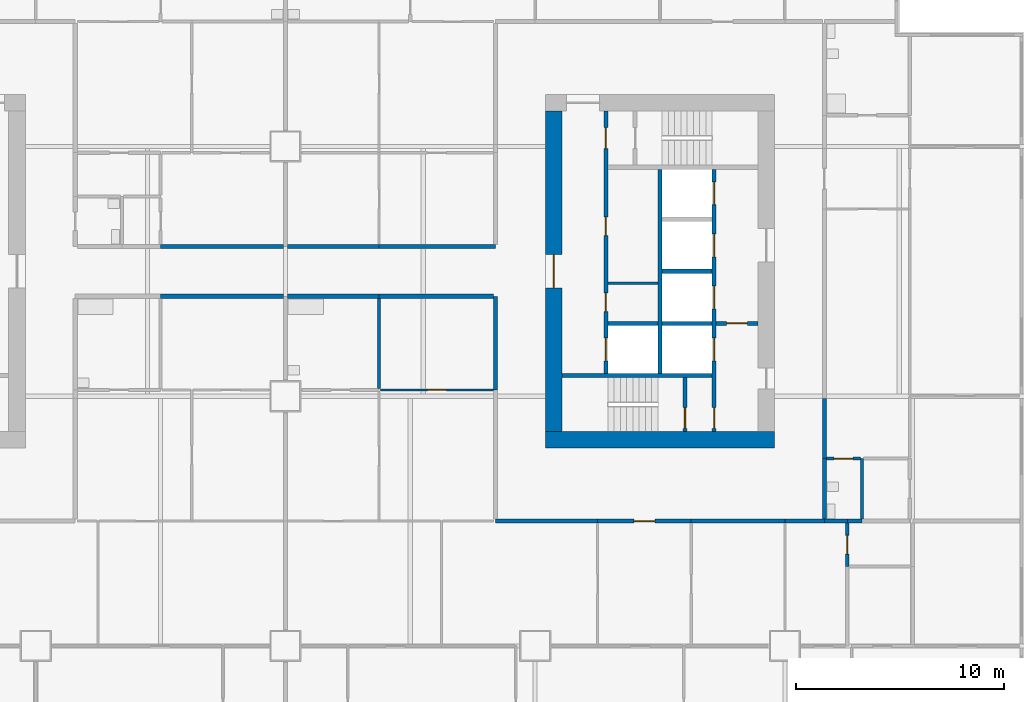
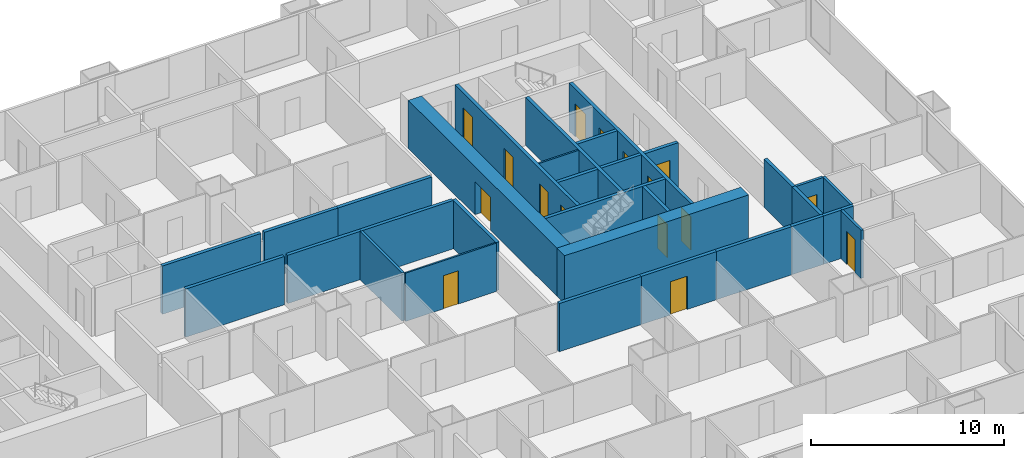
# One storey, part 6 of 13: 32 walls, 16 doors, 16 openings.
"""IFC4 building model written with IfcOpenShell, lengths in metres."""

from ifc_helpers import new_model, si_unit, direction, frame, frame_2d, origin, place, context, subcontext, project, spatial, rectangle, extrude, material, layer, layer_set, type_object, element, fill, save


model = new_model("IFC4")

# Units and contexts
model_context = context("Model", 3, precision=1e-05, world=origin(), true_north=direction((0.0, 1.0)))
body_context = subcontext(model_context, "Body", "Model", "MODEL_VIEW")
ifc_project = project(units=[si_unit("LENGTHUNIT", "METRE"), si_unit("AREAUNIT", "SQUARE_METRE"), si_unit("VOLUMEUNIT", "CUBIC_METRE"), si_unit("PLANEANGLEUNIT", "RADIAN"), si_unit("MASSUNIT", "GRAM", prefix="KILO")], contexts=[model_context])

# Site, building, storey
site_placement = place(None, origin())
site = spatial("IfcSite", under=ifc_project, at=site_placement, CompositionType="ELEMENT")
building_placement = place(site_placement, origin())
building = spatial("IfcBuilding", under=site, at=building_placement, Name="Kitamizu Gate Tower and Museum", CompositionType="ELEMENT")
storey_placement = place(building_placement, frame((0.0, 0.0, 36.89990234375)))
storey = spatial("IfcBuildingStorey", under=building, at=storey_placement, Name="L07", CompositionType="ELEMENT", Elevation=36.89990234375)

# Wall
ifc_material_1 = material(Name="Concrete Fc60", Category="concrete")
ifc_layer_1 = layer(ifc_material_1, 0.800048828125)
ifc_layer_set_1 = layer_set([ifc_layer_1], Name="Concrete Fc60")
wall_type_1 = type_object("IfcWallType", Name="Core wall 800", PredefinedType="SHEAR", material=ifc_layer_set_1)
wall_1_placement = place(storey_placement, frame((59.5, 21.89990234375, 0.0), z_axis=(0.0, 0.0, 1.0), x_axis=(-1.0, 0.0, 0.0)))
element("IfcWall", 1, at=wall_1_placement, inside=storey, type_object=wall_type_1, Name="Core wall ES", PredefinedType="SHEAR", context=body_context, shape_type="SweptSolid", body=[
    extrude(rectangle(XDim=11.0, YDim=0.800048828125, at=frame_2d((5.5, 0.0))), origin(), (0.0, 0.0, 1.0), 3.050048828125),
])

# Wall, opening, door
wall_2_placement = place(storey_placement, frame((48.89990234375, 22.300048828125, 0.0), z_axis=(0.0, 0.0, 1.0), x_axis=(0.0, 1.0, 0.0)))
wall_2 = element("IfcWall", 2, at=wall_2_placement, inside=storey, type_object=wall_type_1, Name="Core wall EARC", PredefinedType="SHEAR", context=body_context, shape_type="SweptSolid", body=[
    extrude(rectangle(XDim=15.39990234375, YDim=0.800048828125, at=frame_2d((7.699951171875, 0.0))), origin(), (0.0, 0.0, 1.0), 3.050048828125),
])
opening_1_placement = place(wall_2_placement, frame((6.89990234375, 0.0, 0.0)))
opening_1 = element("IfcOpeningElement", 3, at=opening_1_placement, cuts=wall_2, Name="Opening L07-097", PredefinedType="OPENING", context=body_context, shape_type="SweptSolid", body=[
    extrude(rectangle(XDim=1.60009765625, YDim=2.10009765625, at=frame_2d((0.800048828125, 1.050048828125))), frame((0.0, 0.41015625, 0.0), z_axis=(0.0, -1.0, 0.0), x_axis=(1.0, 0.0, 0.0)), (0.0, 0.0, 1.0), 0.820068359375),
])
ifc_material_2 = material(Name="Timber door set", Category="wood")
door_type_1 = type_object("IfcDoorType", Name="Entrance door 1600", OperationType="DOUBLE_DOOR_SINGLE_SWING", PredefinedType="DOOR", material=ifc_material_2)
door_1_placement = place(opening_1_placement, origin())
door_1 = element("IfcDoor", 4, at=door_1_placement, inside=storey, type_object=door_type_1, Name="Lobby door L07-097", OperationType="DOUBLE_DOOR_SINGLE_SWING", OverallHeight=2.10009765625, OverallWidth=1.60009765625, PredefinedType="DOOR", context=body_context, shape_type="SweptSolid", body=[
    extrude(rectangle(XDim=1.60009765625, YDim=2.10009765625, at=frame_2d((0.800048828125, 1.050048828125))), frame((0.0, 0.02490234375, 0.0), z_axis=(0.0, -1.0, 0.0), x_axis=(1.0, 0.0, 0.0)), (0.0, 0.0, 1.0), 0.050048828125),
])
fill(opening_1, door_1)

# Wall
ifc_material_3 = material(Name="Gypsum board on galvanised stud")
ifc_layer_2 = layer(ifc_material_3, 0.10009765625)
ifc_layer_set_2 = layer_set([ifc_layer_2], Name="Gypsum board on galvanised stud")
wall_type_2 = type_object("IfcWallType", Name="Partition 100", PredefinedType="PARTITIONING", material=ifc_layer_set_2)
wall_3_placement = place(storey_placement, frame((53.89990234375, 29.425048828125, 0.0), z_axis=(0.0, 0.0, 1.0), x_axis=(-1.0, 0.0, 0.0)))
element("IfcWall", 5, at=wall_3_placement, inside=storey, type_object=wall_type_2, Name="Partition EPF1", PredefinedType="PARTITIONING", context=body_context, shape_type="SweptSolid", body=[
    extrude(rectangle(XDim=2.39990234375, YDim=0.10009765625, at=frame_2d((1.199951171875, 0.0))), origin(), (0.0, 0.0, 1.0), 3.050048828125),
])

# Wall, opening, door
ifc_material_4 = material(Name="Gypsum board on galvanised stud")
ifc_layer_3 = layer(ifc_material_4, 0.10009765625)
ifc_layer_set_3 = layer_set([ifc_layer_3], Name="Gypsum board on galvanised stud")
wall_type_3 = type_object("IfcWallType", Name="Partition 100 NOT RATED", PredefinedType="PARTITIONING", material=ifc_layer_set_3)
wall_4_placement = place(storey_placement, frame((46.0, 24.300048828125, 0.0), z_axis=(0.0, 0.0, 1.0), x_axis=(-1.0, 0.0, 0.0)))
wall_4 = element("IfcWall", 6, at=wall_4_placement, inside=storey, type_object=wall_type_3, Name="Partition L07-120", PredefinedType="PARTITIONING", context=body_context, shape_type="SweptSolid", body=[
    extrude(rectangle(XDim=5.425048828125, YDim=0.10009765625, at=frame_2d((2.71240234375, 0.0))), origin(), (0.0, 0.0, 1.0), 3.050048828125),
])
opening_2_placement = place(wall_4_placement, frame((2.262451171875, 0.0, 0.0)))
opening_2 = element("IfcOpeningElement", 7, at=opening_2_placement, cuts=wall_4, Name="Opening L07-047", PredefinedType="OPENING", context=body_context, shape_type="SweptSolid", body=[
    extrude(rectangle(XDim=0.89990234375, YDim=2.10009765625, at=frame_2d((0.449951171875, 1.050048828125))), frame((0.0, 0.06005859375, 0.0), z_axis=(0.0, -1.0, 0.0), x_axis=(1.0, 0.0, 0.0)), (0.0, 0.0, 1.0), 0.1201171875),
])
ifc_material_5 = material(Name="Timber door set", Category="wood")
door_type_2 = type_object("IfcDoorType", Name="Room door 900", OperationType="NOTDEFINED", PredefinedType="DOOR", material=ifc_material_5)
door_2_placement = place(opening_2_placement, origin())
door_2 = element("IfcDoor", 8, at=door_2_placement, inside=storey, type_object=door_type_2, Name="Door L07-047", OperationType="SINGLE_SWING_LEFT", OverallHeight=2.10009765625, OverallWidth=0.89990234375, PredefinedType="DOOR", context=body_context, shape_type="SweptSolid", body=[
    extrude(rectangle(XDim=0.89990234375, YDim=2.10009765625, at=frame_2d((0.449951171875, 1.050048828125))), frame((0.0, 0.02490234375, 0.0), z_axis=(0.0, -1.0, 0.0), x_axis=(1.0, 0.0, 0.0)), (0.0, 0.0, 1.0), 0.050048828125),
])
fill(opening_2, door_2)

ifc_material_6 = material(Name="Gypsum board on galvanised stud")
ifc_layer_4 = layer(ifc_material_6, 0.14990234375)
ifc_layer_set_4 = layer_set([ifc_layer_4], Name="Gypsum board on galvanised stud")
wall_type_4 = type_object("IfcWallType", Name="Partition 150", PredefinedType="PARTITIONING", material=ifc_layer_set_4)
wall_5_placement = place(storey_placement, frame((63.0, 15.81396484375, 0.0), z_axis=(0.0, 0.0, 1.0), x_axis=(0.0, 1.0, 0.0)))
wall_5 = element("IfcWall", 9, at=wall_5_placement, inside=storey, type_object=wall_type_4, Name="Partition L07-109", PredefinedType="PARTITIONING", context=body_context, shape_type="SweptSolid", body=[
    extrude(rectangle(XDim=2.0859375, YDim=0.14990234375, at=frame_2d((1.04296875, 0.0))), origin(), (0.0, 0.0, 1.0), 3.050048828125),
])
opening_3_placement = place(wall_5_placement, frame((0.593017578125, 0.0, 0.0)))
opening_3 = element("IfcOpeningElement", 10, at=opening_3_placement, cuts=wall_5, Name="Opening L07-043", PredefinedType="OPENING", context=body_context, shape_type="SweptSolid", body=[
    extrude(rectangle(XDim=0.89990234375, YDim=2.10009765625, at=frame_2d((0.449951171875, 1.050048828125))), frame((0.0, 0.0849609375, 0.0), z_axis=(0.0, -1.0, 0.0), x_axis=(1.0, 0.0, 0.0)), (0.0, 0.0, 1.0), 0.169921875),
])
ifc_material_7 = material(Name="Timber door set", Category="wood")
door_type_3 = type_object("IfcDoorType", Name="Bathroom door 900", OperationType="NOTDEFINED", PredefinedType="DOOR", material=ifc_material_7)
door_3_placement = place(opening_3_placement, frame((0.89990234375, 0.0, 0.0), x_axis=(-1.0, 0.0, 0.0)))
door_3 = element("IfcDoor", 11, at=door_3_placement, inside=storey, type_object=door_type_3, Name="Bathroom door L07-043", OperationType="SINGLE_SWING_RIGHT", OverallHeight=2.10009765625, OverallWidth=0.89990234375, PredefinedType="DOOR", context=body_context, shape_type="SweptSolid", body=[
    extrude(rectangle(XDim=0.89990234375, YDim=2.10009765625, at=frame_2d((0.449951171875, 1.050048828125))), frame((0.0, 0.02490234375, 0.0), z_axis=(0.0, -1.0, 0.0), x_axis=(1.0, 0.0, 0.0)), (0.0, 0.0, 1.0), 0.050048828125),
])
fill(opening_3, door_3)

# Walls
wall_6_placement = place(storey_placement, frame((40.5, 24.375, 0.0), z_axis=(0.0, 0.0, 1.0), x_axis=(0.0, 1.0, 0.0)))
element("IfcWall", 12, at=wall_6_placement, inside=storey, type_object=wall_type_4, Name="Partition L07-122", PredefinedType="PARTITIONING", context=body_context, shape_type="SweptSolid", body=[
    extrude(rectangle(XDim=4.324951171875, YDim=0.14990234375, at=frame_2d((2.16259765625, 0.0))), origin(), (0.0, 0.0, 1.0), 3.050048828125),
])
wall_7_placement = place(storey_placement, frame((63.699951171875, 18.10009765625, 0.0), z_axis=(0.0, 0.0, 1.0), x_axis=(0.0, 1.0, 0.0)))
element("IfcWall", 13, at=wall_7_placement, inside=storey, type_object=wall_type_4, Name="Partition L07-134", PredefinedType="PARTITIONING", context=body_context, shape_type="SweptSolid", body=[
    extrude(rectangle(XDim=2.89990234375, YDim=0.14990234375, at=frame_2d((1.449951171875, 0.0))), origin(), (0.0, 0.0, 1.0), 3.050048828125),
])

# Wall, opening, door
wall_8_placement = place(storey_placement, frame((63.625, 21.0, 0.0), z_axis=(0.0, 0.0, 1.0), x_axis=(-1.0, 0.0, 0.0)))
wall_8 = element("IfcWall", 14, at=wall_8_placement, inside=storey, type_object=wall_type_4, Name="Partition L07-135", PredefinedType="PARTITIONING", context=body_context, shape_type="SweptSolid", body=[
    extrude(rectangle(XDim=1.625, YDim=0.14990234375, at=frame_2d((0.8125, 0.0))), origin(), (0.0, 0.0, 1.0), 3.050048828125),
])
opening_4_placement = place(wall_8_placement, frame((0.362548828125, 0.0, 0.0)))
opening_4 = element("IfcOpeningElement", 15, at=opening_4_placement, cuts=wall_8, Name="Opening L07-054", PredefinedType="OPENING", context=body_context, shape_type="SweptSolid", body=[
    extrude(rectangle(XDim=0.89990234375, YDim=2.10009765625, at=frame_2d((0.449951171875, 1.050048828125))), frame((0.0, 0.0849609375, 0.0), z_axis=(0.0, -1.0, 0.0), x_axis=(1.0, 0.0, 0.0)), (0.0, 0.0, 1.0), 0.169921875),
])
door_4_placement = place(opening_4_placement, origin())
door_4 = element("IfcDoor", 16, at=door_4_placement, inside=storey, type_object=door_type_3, Name="Bathroom door L07-054", OperationType="SINGLE_SWING_RIGHT", OverallHeight=2.10009765625, OverallWidth=0.89990234375, PredefinedType="DOOR", context=body_context, shape_type="SweptSolid", body=[
    extrude(rectangle(XDim=0.89990234375, YDim=2.10009765625, at=frame_2d((0.449951171875, 1.050048828125))), frame((0.0, 0.02490234375, 0.0), z_axis=(0.0, -1.0, 0.0), x_axis=(1.0, 0.0, 0.0)), (0.0, 0.0, 1.0), 0.050048828125),
])
fill(opening_4, door_4)

# Walls
ifc_material_8 = material(Name="Gypsum board on galvanised stud")
ifc_layer_5 = layer(ifc_material_8, 0.199951171875)
ifc_layer_set_5 = layer_set([ifc_layer_5], Name="Gypsum board on galvanised stud")
wall_type_5 = type_object("IfcWallType", Name="Partition 200", PredefinedType="PARTITIONING", material=ifc_layer_set_5)
wall_9_placement = place(storey_placement, frame((35.89990234375, 28.800048828125, 0.0), z_axis=(0.0, 0.0, 1.0), x_axis=(-1.0, 0.0, 0.0)))
element("IfcWall", 17, at=wall_9_placement, inside=storey, type_object=wall_type_5, Name="Partition L07-050", PredefinedType="PARTITIONING", context=body_context, shape_type="SweptSolid", body=[
    extrude(rectangle(XDim=5.89990234375, YDim=0.199951171875, at=frame_2d((2.949951171875, 0.0))), origin(), (0.0, 0.0, 1.0), 3.050048828125),
])
wall_10_placement = place(storey_placement, frame((51.0, 18.0, 0.0), z_axis=(0.0, 0.0, 1.0), x_axis=(-1.0, 0.0, 0.0)))
element("IfcWall", 18, at=wall_10_placement, inside=storey, type_object=wall_type_5, Name="Partition L07-103", PredefinedType="PARTITIONING", context=body_context, shape_type="SweptSolid", body=[
    extrude(rectangle(XDim=4.89990234375, YDim=0.199951171875, at=frame_2d((2.449951171875, 0.0))), origin(), (0.0, 0.0, 1.0), 3.050048828125),
])

# Wall, opening, door
wall_11_placement = place(storey_placement, frame((55.5, 18.0, 0.0), z_axis=(0.0, 0.0, 1.0), x_axis=(-1.0, 0.0, 0.0)))
wall_11 = element("IfcWall", 19, at=wall_11_placement, inside=storey, type_object=wall_type_5, Name="Partition L07-105", PredefinedType="PARTITIONING", context=body_context, shape_type="SweptSolid", body=[
    extrude(rectangle(XDim=4.5, YDim=0.199951171875, at=frame_2d((2.25, 0.0))), origin(), (0.0, 0.0, 1.0), 3.050048828125),
])
opening_5_placement = place(wall_11_placement, frame((1.75, 0.0, 0.0)))
opening_5 = element("IfcOpeningElement", 20, at=opening_5_placement, cuts=wall_11, Name="Opening L07-027", PredefinedType="OPENING", context=body_context, shape_type="SweptSolid", body=[
    extrude(rectangle(XDim=1.0, YDim=2.10009765625, at=frame_2d((0.5, 1.050048828125))), frame((0.0, 0.10986328125, 0.0), z_axis=(0.0, -1.0, 0.0), x_axis=(1.0, 0.0, 0.0)), (0.0, 0.0, 1.0), 0.219970703125),
])
ifc_material_9 = material(Name="Timber door set", Category="wood")
door_type_4 = type_object("IfcDoorType", Name="Flat entrance door 1000", OperationType="NOTDEFINED", PredefinedType="DOOR", material=ifc_material_9)
door_5_placement = place(opening_5_placement, origin())
door_5 = element("IfcDoor", 21, at=door_5_placement, inside=storey, type_object=door_type_4, Name="Flat entrance door L07-027", OperationType="SINGLE_SWING_RIGHT", OverallHeight=2.10009765625, OverallWidth=1.0, PredefinedType="DOOR", context=body_context, shape_type="SweptSolid", body=[
    extrude(rectangle(XDim=1.0, YDim=2.10009765625, at=frame_2d((0.5, 1.050048828125))), frame((0.0, 0.02490234375, 0.0), z_axis=(0.0, -1.0, 0.0), x_axis=(1.0, 0.0, 0.0)), (0.0, 0.0, 1.0), 0.050048828125),
])
fill(opening_5, door_5)

# Walls
wall_12_placement = place(storey_placement, frame((60.0, 18.0, 0.0), z_axis=(0.0, 0.0, 1.0), x_axis=(-1.0, 0.0, 0.0)))
element("IfcWall", 22, at=wall_12_placement, inside=storey, type_object=wall_type_5, Name="Partition L07-107", PredefinedType="PARTITIONING", context=body_context, shape_type="SweptSolid", body=[
    extrude(rectangle(XDim=4.5, YDim=0.199951171875, at=frame_2d((2.25, 0.0))), origin(), (0.0, 0.0, 1.0), 3.050048828125),
])
wall_13_placement = place(storey_placement, frame((63.0, 18.0, 0.0), z_axis=(0.0, 0.0, 1.0), x_axis=(-1.0, 0.0, 0.0)))
element("IfcWall", 23, at=wall_13_placement, inside=storey, type_object=wall_type_5, Name="Partition L07-110", PredefinedType="PARTITIONING", context=body_context, shape_type="SweptSolid", body=[
    extrude(rectangle(XDim=1.10009765625, YDim=0.199951171875, at=frame_2d((0.550048828125, 0.0))), origin(), (0.0, 0.0, 1.0), 3.050048828125),
])
wall_14_placement = place(storey_placement, frame((61.89990234375, 18.0, 0.0), z_axis=(0.0, 0.0, 1.0), x_axis=(-1.0, 0.0, 0.0)))
element("IfcWall", 24, at=wall_14_placement, inside=storey, type_object=wall_type_5, Name="Partition L07-111", PredefinedType="PARTITIONING", context=body_context, shape_type="SweptSolid", body=[
    extrude(rectangle(XDim=1.89990234375, YDim=0.199951171875, at=frame_2d((0.949951171875, 0.0))), origin(), (0.0, 0.0, 1.0), 3.050048828125),
])
wall_15_placement = place(storey_placement, frame((63.699951171875, 18.0, 0.0), z_axis=(0.0, 0.0, 1.0), x_axis=(-1.0, 0.0, 0.0)))
element("IfcWall", 25, at=wall_15_placement, inside=storey, type_object=wall_type_5, Name="Partition L07-116", PredefinedType="PARTITIONING", context=body_context, shape_type="SweptSolid", body=[
    extrude(rectangle(XDim=0.699951171875, YDim=0.199951171875, at=frame_2d((0.35009765625, 0.0))), origin(), (0.0, 0.0, 1.0), 3.050048828125),
])
wall_16_placement = place(storey_placement, frame((40.5, 28.800048828125, 0.0), z_axis=(0.0, 0.0, 1.0), x_axis=(-1.0, 0.0, 0.0)))
element("IfcWall", 26, at=wall_16_placement, inside=storey, type_object=wall_type_5, Name="Partition L07-123", PredefinedType="PARTITIONING", context=body_context, shape_type="SweptSolid", body=[
    extrude(rectangle(XDim=4.39990234375, YDim=0.199951171875, at=frame_2d((2.199951171875, 0.0))), origin(), (0.0, 0.0, 1.0), 3.050048828125),
])
wall_17_placement = place(storey_placement, frame((46.10009765625, 24.300048828125, 0.0), z_axis=(0.0, 0.0, 1.0), x_axis=(0.0, 1.0, 0.0)))
element("IfcWall", 27, at=wall_17_placement, inside=storey, type_object=wall_type_5, Name="Partition L07-124", PredefinedType="PARTITIONING", context=body_context, shape_type="SweptSolid", body=[
    extrude(rectangle(XDim=4.5, YDim=0.199951171875, at=frame_2d((2.25, 0.0))), origin(), (0.0, 0.0, 1.0), 3.050048828125),
])
wall_18_placement = place(storey_placement, frame((46.0, 28.800048828125, 0.0), z_axis=(0.0, 0.0, 1.0), x_axis=(-1.0, 0.0, 0.0)))
element("IfcWall", 28, at=wall_18_placement, inside=storey, type_object=wall_type_5, Name="Partition L07-125", PredefinedType="PARTITIONING", context=body_context, shape_type="SweptSolid", body=[
    extrude(rectangle(XDim=5.5, YDim=0.199951171875, at=frame_2d((2.75, 0.0))), origin(), (0.0, 0.0, 1.0), 3.050048828125),
])
for number, where, z_axis, x_axis, name in (
    (29, (61.89990234375, 21.0, 0.0), (0.0, 0.0, 1.0), (0.0, -1.0, 0.0), "Partition L07-136"),
    (30, (61.89990234375, 23.89990234375, 0.0), (0.0, 0.0, 1.0), (0.0, -1.0, 0.0), "Partition L07-140"),
):
    element("IfcWall", number, at=place(storey_placement, frame(where, z_axis=z_axis, x_axis=x_axis)), inside=storey, type_object=wall_type_5, Name=name, PredefinedType="PARTITIONING", context=body_context, shape_type="SweptSolid", body=[
        extrude(rectangle(XDim=2.89990234375, YDim=0.199951171875, at=frame_2d((1.449951171875, 0.0))), origin(), (0.0, 0.0, 1.0), 3.050048828125),
    ])
wall_19_placement = place(storey_placement, frame((30.0, 31.199951171875, 0.0), z_axis=(0.0, 0.0, 1.0), x_axis=(1.0, 0.0, 0.0)))
element("IfcWall", 31, at=wall_19_placement, inside=storey, type_object=wall_type_5, Name="Partition L07-178", PredefinedType="PARTITIONING", context=body_context, shape_type="SweptSolid", body=[
    extrude(rectangle(XDim=5.89990234375, YDim=0.199951171875, at=frame_2d((2.949951171875, 0.0))), origin(), (0.0, 0.0, 1.0), 3.050048828125),
])
wall_20_placement = place(storey_placement, frame((36.10009765625, 31.199951171875, 0.0), z_axis=(0.0, 0.0, 1.0), x_axis=(1.0, 0.0, 0.0)))
element("IfcWall", 32, at=wall_20_placement, inside=storey, type_object=wall_type_5, Name="Partition L07-199", PredefinedType="PARTITIONING", context=body_context, shape_type="SweptSolid", body=[
    extrude(rectangle(XDim=4.39990234375, YDim=0.199951171875, at=frame_2d((2.199951171875, 0.0))), origin(), (0.0, 0.0, 1.0), 3.050048828125),
])
wall_21_placement = place(storey_placement, frame((40.5, 31.199951171875, 0.0), z_axis=(0.0, 0.0, 1.0), x_axis=(1.0, 0.0, 0.0)))
element("IfcWall", 33, at=wall_21_placement, inside=storey, type_object=wall_type_5, Name="Partition L07-200", PredefinedType="PARTITIONING", context=body_context, shape_type="SweptSolid", body=[
    extrude(rectangle(XDim=5.60009765625, YDim=0.199951171875, at=frame_2d((2.800048828125, 0.0))), origin(), (0.0, 0.0, 1.0), 3.050048828125),
])

# Wall, openings, doors
ifc_material_10 = material(Name="Concrete Fc42", Category="concrete")
ifc_layer_6 = layer(ifc_material_10, 0.199951171875)
ifc_layer_set_6 = layer_set([ifc_layer_6], Name="Concrete Fc42")
wall_type_6 = type_object("IfcWallType", Name="Shaft wall 200", PredefinedType="SOLIDWALL", material=ifc_layer_set_6)
wall_22_placement = place(storey_placement, frame((56.60009765625, 22.300048828125, 0.0), z_axis=(0.0, 0.0, 1.0), x_axis=(0.0, 1.0, 0.0)))
wall_22 = element("IfcWall", 34, at=wall_22_placement, inside=storey, type_object=wall_type_6, Name="Shaft wall EWEST", PredefinedType="SOLIDWALL", context=body_context, shape_type="SweptSolid", body=[
    extrude(rectangle(XDim=12.599853515625, YDim=0.199951171875, at=frame_2d((6.2998046875, 0.0))), origin(), (0.0, 0.0, 1.0), 3.050048828125),
])
opening_6_placement = place(wall_22_placement, frame((3.39990234375, 0.0, 0.0)))
opening_6 = element("IfcOpeningElement", 35, at=opening_6_placement, cuts=wall_22, Name="Opening LD", PredefinedType="OPENING", context=body_context, shape_type="SweptSolid", body=[
    extrude(rectangle(XDim=1.10009765625, YDim=2.10009765625, at=frame_2d((0.550048828125, 1.050048828125))), frame((0.0, 0.10986328125, 0.0), z_axis=(0.0, -1.0, 0.0), x_axis=(1.0, 0.0, 0.0)), (0.0, 0.0, 1.0), 0.219970703125),
])
opening_7_placement = place(wall_22_placement, frame((5.89990234375, 0.0, 0.0)))
opening_7 = element("IfcOpeningElement", 36, at=opening_7_placement, cuts=wall_22, Name="Opening LD", PredefinedType="OPENING", context=body_context, shape_type="SweptSolid", body=[
    extrude(rectangle(XDim=1.10009765625, YDim=2.10009765625, at=frame_2d((0.550048828125, 1.050048828125))), frame((0.0, 0.10986328125, 0.0), z_axis=(0.0, -1.0, 0.0), x_axis=(1.0, 0.0, 0.0)), (0.0, 0.0, 1.0), 0.219970703125),
])
opening_8_placement = place(wall_22_placement, frame((8.39990234375, 0.0, 0.0)))
opening_8 = element("IfcOpeningElement", 37, at=opening_8_placement, cuts=wall_22, Name="Opening LD", PredefinedType="OPENING", context=body_context, shape_type="SweptSolid", body=[
    extrude(rectangle(XDim=1.10009765625, YDim=2.10009765625, at=frame_2d((0.550048828125, 1.050048828125))), frame((0.0, 0.10986328125, 0.0), z_axis=(0.0, -1.0, 0.0), x_axis=(1.0, 0.0, 0.0)), (0.0, 0.0, 1.0), 0.219970703125),
])
opening_9_placement = place(wall_22_placement, frame((10.89990234375, 0.0, 0.0)))
opening_9 = element("IfcOpeningElement", 38, at=opening_9_placement, cuts=wall_22, Name="Opening LD", PredefinedType="OPENING", context=body_context, shape_type="SweptSolid", body=[
    extrude(rectangle(XDim=1.10009765625, YDim=2.10009765625, at=frame_2d((0.550048828125, 1.050048828125))), frame((0.0, 0.10986328125, 0.0), z_axis=(0.0, -1.0, 0.0), x_axis=(1.0, 0.0, 0.0)), (0.0, 0.0, 1.0), 0.219970703125),
])
opening_10_placement = place(wall_22_placement, frame((0.14990234375, 0.0, 0.0)))
opening_10 = element("IfcOpeningElement", 39, at=opening_10_placement, cuts=wall_22, Name="Opening L07-090", PredefinedType="OPENING", context=body_context, shape_type="SweptSolid", body=[
    extrude(rectangle(XDim=1.0, YDim=2.10009765625, at=frame_2d((0.5, 1.050048828125))), frame((0.0, 0.10986328125, 0.0), z_axis=(0.0, -1.0, 0.0), x_axis=(1.0, 0.0, 0.0)), (0.0, 0.0, 1.0), 0.219970703125),
])
ifc_material_11 = material(Name="Hollow metal door set")
door_type_5 = type_object("IfcDoorType", Name="Fire door 1000", OperationType="NOTDEFINED", PredefinedType="DOOR", material=ifc_material_11)
door_6_placement = place(opening_10_placement, origin())
door_6 = element("IfcDoor", 40, at=door_6_placement, inside=storey, type_object=door_type_5, Name="Stair lobby door L07-090", OperationType="SINGLE_SWING_RIGHT", OverallHeight=2.10009765625, OverallWidth=1.0, PredefinedType="DOOR", context=body_context, shape_type="SweptSolid", body=[
    extrude(rectangle(XDim=1.0, YDim=2.10009765625, at=frame_2d((0.5, 1.050048828125))), frame((0.0, 0.02490234375, 0.0), z_axis=(0.0, -1.0, 0.0), x_axis=(1.0, 0.0, 0.0)), (0.0, 0.0, 1.0), 0.050048828125),
])
fill(opening_10, door_6)
ifc_material_12 = material(Name="Hollow metal door set")
door_type_6 = type_object("IfcDoorType", Name="Landing door 1100", OperationType="SLIDING_TO_LEFT", PredefinedType="DOOR", material=ifc_material_12)
door_7_placement = place(opening_6_placement, origin())
door_7 = element("IfcDoor", 41, at=door_7_placement, inside=storey, type_object=door_type_6, Name="Landing door EFF1", OperationType="SLIDING_TO_LEFT", OverallHeight=2.10009765625, OverallWidth=1.10009765625, PredefinedType="DOOR", context=body_context, shape_type="SweptSolid", body=[
    extrude(rectangle(XDim=1.10009765625, YDim=2.10009765625, at=frame_2d((0.550048828125, 1.050048828125))), frame((0.0, 0.02490234375, 0.0), z_axis=(0.0, -1.0, 0.0), x_axis=(1.0, 0.0, 0.0)), (0.0, 0.0, 1.0), 0.050048828125),
])
fill(opening_6, door_7)
door_8_placement = place(opening_7_placement, origin())
door_8 = element("IfcDoor", 42, at=door_8_placement, inside=storey, type_object=door_type_6, Name="Landing door EL1", OperationType="SLIDING_TO_LEFT", OverallHeight=2.10009765625, OverallWidth=1.10009765625, PredefinedType="DOOR", context=body_context, shape_type="SweptSolid", body=[
    extrude(rectangle(XDim=1.10009765625, YDim=2.10009765625, at=frame_2d((0.550048828125, 1.050048828125))), frame((0.0, 0.02490234375, 0.0), z_axis=(0.0, -1.0, 0.0), x_axis=(1.0, 0.0, 0.0)), (0.0, 0.0, 1.0), 0.050048828125),
])
fill(opening_7, door_8)
door_9_placement = place(opening_8_placement, origin())
door_9 = element("IfcDoor", 43, at=door_9_placement, inside=storey, type_object=door_type_6, Name="Landing door EL2", OperationType="SLIDING_TO_LEFT", OverallHeight=2.10009765625, OverallWidth=1.10009765625, PredefinedType="DOOR", context=body_context, shape_type="SweptSolid", body=[
    extrude(rectangle(XDim=1.10009765625, YDim=2.10009765625, at=frame_2d((0.550048828125, 1.050048828125))), frame((0.0, 0.02490234375, 0.0), z_axis=(0.0, -1.0, 0.0), x_axis=(1.0, 0.0, 0.0)), (0.0, 0.0, 1.0), 0.050048828125),
])
fill(opening_8, door_9)
door_10_placement = place(opening_9_placement, origin())
door_10 = element("IfcDoor", 44, at=door_10_placement, inside=storey, type_object=door_type_6, Name="Landing door EL3", OperationType="SLIDING_TO_LEFT", OverallHeight=2.10009765625, OverallWidth=1.10009765625, PredefinedType="DOOR", context=body_context, shape_type="SweptSolid", body=[
    extrude(rectangle(XDim=1.10009765625, YDim=2.10009765625, at=frame_2d((0.550048828125, 1.050048828125))), frame((0.0, 0.02490234375, 0.0), z_axis=(0.0, -1.0, 0.0), x_axis=(1.0, 0.0, 0.0)), (0.0, 0.0, 1.0), 0.050048828125),
])
fill(opening_9, door_10)

wall_23_placement = place(storey_placement, frame((51.39990234375, 25.10009765625, 0.0), z_axis=(0.0, 0.0, 1.0), x_axis=(0.0, 1.0, 0.0)))
wall_23 = element("IfcWall", 45, at=wall_23_placement, inside=storey, type_object=wall_type_6, Name="Shaft wall EEAST", PredefinedType="SOLIDWALL", context=body_context, shape_type="SweptSolid", body=[
    extrude(rectangle(XDim=12.599853515625, YDim=0.199951171875, at=frame_2d((6.2998046875, 0.0))), origin(), (0.0, 0.0, 1.0), 3.050048828125),
])
opening_11_placement = place(wall_23_placement, frame((0.60009765625, 0.0, 0.0)))
opening_11 = element("IfcOpeningElement", 46, at=opening_11_placement, cuts=wall_23, Name="Opening LD", PredefinedType="OPENING", context=body_context, shape_type="SweptSolid", body=[
    extrude(rectangle(XDim=1.10009765625, YDim=2.10009765625, at=frame_2d((0.550048828125, 1.050048828125))), frame((0.0, 0.10986328125, 0.0), z_axis=(0.0, -1.0, 0.0), x_axis=(1.0, 0.0, 0.0)), (0.0, 0.0, 1.0), 0.219970703125),
])
opening_12_placement = place(wall_23_placement, frame((10.800048828125, 0.0, 0.0)))
opening_12 = element("IfcOpeningElement", 47, at=opening_12_placement, cuts=wall_23, Name="Opening L07-091", PredefinedType="OPENING", context=body_context, shape_type="SweptSolid", body=[
    extrude(rectangle(XDim=1.0, YDim=2.10009765625, at=frame_2d((0.5, 1.050048828125))), frame((0.0, 0.10986328125, 0.0), z_axis=(0.0, -1.0, 0.0), x_axis=(1.0, 0.0, 0.0)), (0.0, 0.0, 1.0), 0.219970703125),
])
opening_13_placement = place(wall_23_placement, frame((2.96240234375, 0.0, 0.0)))
opening_13 = element("IfcOpeningElement", 48, at=opening_13_placement, cuts=wall_23, Name="Opening L07-098", PredefinedType="OPENING", context=body_context, shape_type="SweptSolid", body=[
    extrude(rectangle(XDim=0.89990234375, YDim=2.10009765625, at=frame_2d((0.449951171875, 1.050048828125))), frame((0.0, 0.10986328125, 0.0), z_axis=(0.0, -1.0, 0.0), x_axis=(1.0, 0.0, 0.0)), (0.0, 0.0, 1.0), 0.219970703125),
])
opening_14_placement = place(wall_23_placement, frame((6.612548828125, 0.0, 0.0)))
opening_14 = element("IfcOpeningElement", 49, at=opening_14_placement, cuts=wall_23, Name="Opening L07-099", PredefinedType="OPENING", context=body_context, shape_type="SweptSolid", body=[
    extrude(rectangle(XDim=0.89990234375, YDim=2.10009765625, at=frame_2d((0.449951171875, 1.050048828125))), frame((0.0, 0.10986328125, 0.0), z_axis=(0.0, -1.0, 0.0), x_axis=(1.0, 0.0, 0.0)), (0.0, 0.0, 1.0), 0.219970703125),
])
door_11_placement = place(opening_12_placement, frame((1.0, 0.0, 0.0), x_axis=(-1.0, 0.0, 0.0)))
door_11 = element("IfcDoor", 50, at=door_11_placement, inside=storey, type_object=door_type_5, Name="Stair lobby door L07-091", OperationType="SINGLE_SWING_RIGHT", OverallHeight=2.10009765625, OverallWidth=1.0, PredefinedType="DOOR", context=body_context, shape_type="SweptSolid", body=[
    extrude(rectangle(XDim=1.0, YDim=2.10009765625, at=frame_2d((0.5, 1.050048828125))), frame((0.0, 0.02490234375, 0.0), z_axis=(0.0, -1.0, 0.0), x_axis=(1.0, 0.0, 0.0)), (0.0, 0.0, 1.0), 0.050048828125),
])
fill(opening_12, door_11)
door_12_placement = place(opening_11_placement, origin())
door_12 = element("IfcDoor", 51, at=door_12_placement, inside=storey, type_object=door_type_6, Name="Landing door ESV1", OperationType="SLIDING_TO_LEFT", OverallHeight=2.10009765625, OverallWidth=1.10009765625, PredefinedType="DOOR", context=body_context, shape_type="SweptSolid", body=[
    extrude(rectangle(XDim=1.10009765625, YDim=2.10009765625, at=frame_2d((0.550048828125, 1.050048828125))), frame((0.0, 0.02490234375, 0.0), z_axis=(0.0, -1.0, 0.0), x_axis=(1.0, 0.0, 0.0)), (0.0, 0.0, 1.0), 0.050048828125),
])
fill(opening_11, door_12)
ifc_material_13 = material(Name="Timber door set", Category="wood")
door_type_7 = type_object("IfcDoorType", Name="Service door 900", OperationType="NOTDEFINED", PredefinedType="DOOR", material=ifc_material_13)
door_13_placement = place(opening_13_placement, frame((0.89990234375, 0.0, 0.0), x_axis=(-1.0, 0.0, 0.0)))
door_13 = element("IfcDoor", 52, at=door_13_placement, inside=storey, type_object=door_type_7, Name="Service door L07-098", OperationType="SINGLE_SWING_RIGHT", OverallHeight=2.10009765625, OverallWidth=0.89990234375, PredefinedType="DOOR", context=body_context, shape_type="SweptSolid", body=[
    extrude(rectangle(XDim=0.89990234375, YDim=2.10009765625, at=frame_2d((0.449951171875, 1.050048828125))), frame((0.0, 0.02490234375, 0.0), z_axis=(0.0, -1.0, 0.0), x_axis=(1.0, 0.0, 0.0)), (0.0, 0.0, 1.0), 0.050048828125),
])
fill(opening_13, door_13)
door_14_placement = place(opening_14_placement, frame((0.89990234375, 0.0, 0.0), x_axis=(-1.0, 0.0, 0.0)))
door_14 = element("IfcDoor", 53, at=door_14_placement, inside=storey, type_object=door_type_7, Name="Service door L07-099", OperationType="SINGLE_SWING_LEFT", OverallHeight=2.10009765625, OverallWidth=0.89990234375, PredefinedType="DOOR", context=body_context, shape_type="SweptSolid", body=[
    extrude(rectangle(XDim=0.89990234375, YDim=2.10009765625, at=frame_2d((0.449951171875, 1.050048828125))), frame((0.0, 0.02490234375, 0.0), z_axis=(0.0, -1.0, 0.0), x_axis=(1.0, 0.0, 0.0)), (0.0, 0.0, 1.0), 0.050048828125),
])
fill(opening_14, door_14)

# Walls
wall_24_placement = place(storey_placement, frame((54.0, 25.10009765625, 0.0), z_axis=(0.0, 0.0, 1.0), x_axis=(0.0, 1.0, 0.0)))
element("IfcWall", 54, at=wall_24_placement, inside=storey, type_object=wall_type_6, Name="Shaft wall EMID", PredefinedType="SOLIDWALL", context=body_context, shape_type="SweptSolid", body=[
    extrude(rectangle(XDim=9.7998046875, YDim=0.199951171875, at=frame_2d((4.89990234375, 0.0))), origin(), (0.0, 0.0, 1.0), 3.050048828125),
])
wall_25_placement = place(storey_placement, frame((56.5, 25.0, 0.0), z_axis=(0.0, 0.0, 1.0), x_axis=(-1.0, 0.0, 0.0)))
element("IfcWall", 55, at=wall_25_placement, inside=storey, type_object=wall_type_6, Name="Shaft wall ESB", PredefinedType="SOLIDWALL", context=body_context, shape_type="SweptSolid", body=[
    extrude(rectangle(XDim=7.199951171875, YDim=0.199951171875, at=frame_2d((3.60009765625, 0.0))), origin(), (0.0, 0.0, 1.0), 3.050048828125),
])

# Wall, opening, door
wall_26_placement = place(storey_placement, frame((58.699951171875, 27.5, 0.0), z_axis=(0.0, 0.0, 1.0), x_axis=(-1.0, 0.0, 0.0)))
wall_26 = element("IfcWall", 56, at=wall_26_placement, inside=storey, type_object=wall_type_6, Name="Shaft wall EFFN", PredefinedType="SOLIDWALL", context=body_context, shape_type="SweptSolid", body=[
    extrude(rectangle(XDim=2.0, YDim=0.199951171875, at=frame_2d((1.0, 0.0))), origin(), (0.0, 0.0, 1.0), 3.050048828125),
])
opening_15_placement = place(wall_26_placement, frame((0.5, 0.0, 0.0)))
opening_15 = element("IfcOpeningElement", 57, at=opening_15_placement, cuts=wall_26, Name="Opening L07-093", PredefinedType="OPENING", context=body_context, shape_type="SweptSolid", body=[
    extrude(rectangle(XDim=1.0, YDim=2.10009765625, at=frame_2d((0.5, 1.050048828125))), frame((0.0, 0.10986328125, 0.0), z_axis=(0.0, -1.0, 0.0), x_axis=(1.0, 0.0, 0.0)), (0.0, 0.0, 1.0), 0.219970703125),
])
door_15_placement = place(opening_15_placement, origin())
door_15 = element("IfcDoor", 58, at=door_15_placement, inside=storey, type_object=door_type_5, Name="Fire-fighting lobby door L07-093", OperationType="SINGLE_SWING_LEFT", OverallHeight=2.10009765625, OverallWidth=1.0, PredefinedType="DOOR", context=body_context, shape_type="SweptSolid", body=[
    extrude(rectangle(XDim=1.0, YDim=2.10009765625, at=frame_2d((0.5, 1.050048828125))), frame((0.0, 0.02490234375, 0.0), z_axis=(0.0, -1.0, 0.0), x_axis=(1.0, 0.0, 0.0)), (0.0, 0.0, 1.0), 0.050048828125),
])
fill(opening_15, door_15)

wall_27_placement = place(storey_placement, frame((55.199951171875, 22.300048828125, 0.0), z_axis=(0.0, 0.0, 1.0), x_axis=(0.0, 1.0, 0.0)))
wall_27 = element("IfcWall", 59, at=wall_27_placement, inside=storey, type_object=wall_type_6, Name="Shaft wall ESZ", PredefinedType="SOLIDWALL", context=body_context, shape_type="SweptSolid", body=[
    extrude(rectangle(XDim=2.599853515625, YDim=0.199951171875, at=frame_2d((1.2998046875, 0.0))), origin(), (0.0, 0.0, 1.0), 3.050048828125),
])
opening_16_placement = place(wall_27_placement, frame((0.14990234375, 0.0, 0.0)))
opening_16 = element("IfcOpeningElement", 60, at=opening_16_placement, cuts=wall_27, Name="Opening L07-089", PredefinedType="OPENING", context=body_context, shape_type="SweptSolid", body=[
    extrude(rectangle(XDim=1.0, YDim=2.10009765625, at=frame_2d((0.5, 1.050048828125))), frame((0.0, 0.10986328125, 0.0), z_axis=(0.0, -1.0, 0.0), x_axis=(1.0, 0.0, 0.0)), (0.0, 0.0, 1.0), 0.219970703125),
])
door_16_placement = place(opening_16_placement, origin())
door_16 = element("IfcDoor", 61, at=door_16_placement, inside=storey, type_object=door_type_5, Name="Stair door L07-089", OperationType="SINGLE_SWING_RIGHT", OverallHeight=2.10009765625, OverallWidth=1.0, PredefinedType="DOOR", context=body_context, shape_type="SweptSolid", body=[
    extrude(rectangle(XDim=1.0, YDim=2.10009765625, at=frame_2d((0.5, 1.050048828125))), frame((0.0, 0.02490234375, 0.0), z_axis=(0.0, -1.0, 0.0), x_axis=(1.0, 0.0, 0.0)), (0.0, 0.0, 1.0), 0.050048828125),
])
fill(opening_16, door_16)

# Walls
for number, where, z_axis, x_axis, name in (
    (62, (56.5, 27.5, 0.0), (0.0, 0.0, 1.0), (-1.0, 0.0, 0.0), "Shaft wall EDVW0"),
    (63, (56.5, 30.0, 0.0), (0.0, 0.0, 1.0), (-1.0, 0.0, 0.0), "Shaft wall EDVW1"),
    (64, (53.89990234375, 27.5, 0.0), (0.0, 0.0, 1.0), (-1.0, 0.0, 0.0), "Shaft wall EDVE0"),
):
    element("IfcWall", number, at=place(storey_placement, frame(where, z_axis=z_axis, x_axis=x_axis)), inside=storey, type_object=wall_type_6, Name=name, PredefinedType="SOLIDWALL", context=body_context, shape_type="SweptSolid", body=[
        extrude(rectangle(XDim=2.39990234375, YDim=0.199951171875, at=frame_2d((1.199951171875, 0.0))), origin(), (0.0, 0.0, 1.0), 3.050048828125),
    ])

save(model, "model.ifc")
